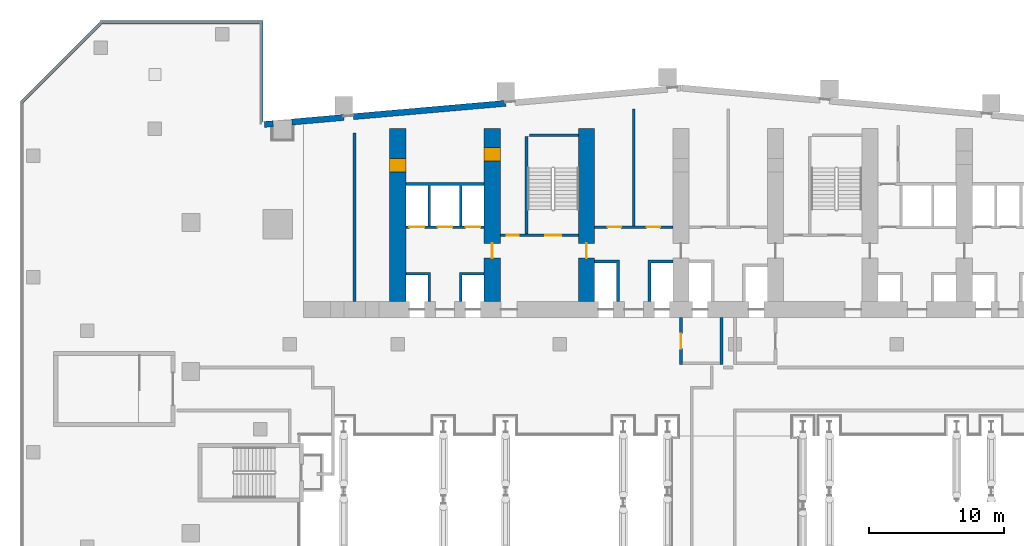
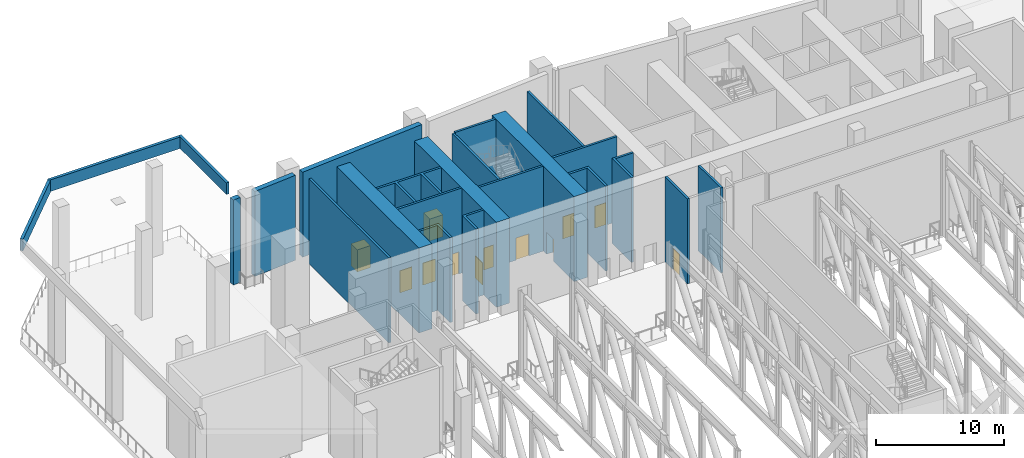
# One storey, part 12 of 33: 23 walls, 12 doors, 12 openings.
"""IFC4 building model written with IfcOpenShell, lengths in metres."""

from ifc_helpers import new_model, si_unit, direction, frame, frame_2d, origin, place, context, subcontext, project, spatial, polyline, rectangle, outline, extrude, material, layer, layer_set, type_object, element, fill, save


model = new_model("IFC4")

# Units and contexts
model_context = context("Model", 3, precision=1e-05, world=origin(), true_north=direction((0.0, 1.0)))
body_context = subcontext(model_context, "Body", "Model", "MODEL_VIEW")
ifc_project = project(units=[si_unit("LENGTHUNIT", "METRE"), si_unit("AREAUNIT", "SQUARE_METRE"), si_unit("VOLUMEUNIT", "CUBIC_METRE"), si_unit("PLANEANGLEUNIT", "RADIAN"), si_unit("MASSUNIT", "GRAM", prefix="KILO")], contexts=[model_context])

# Site, building, storey
site_placement = place(None, origin())
site = spatial("IfcSite", under=ifc_project, at=site_placement, CompositionType="ELEMENT")
building_placement = place(site_placement, origin())
building = spatial("IfcBuilding", under=site, at=building_placement, Name="Wharfspan Tower", CompositionType="ELEMENT")
storey_placement = place(building_placement, frame((0.0, 0.0, 33.0)))
storey = spatial("IfcBuildingStorey", under=building, at=storey_placement, Name="L05", CompositionType="ELEMENT", Elevation=33.0)

# Walls
ifc_material_1 = material(Name="Calcium silicate masonry", Category="masonry")
ifc_layer_1 = layer(ifc_material_1, 0.199951)
ifc_layer_set_1 = layer_set([ifc_layer_1], Name="Calcium silicate masonry")
wall_type_1 = type_object("IfcWallType", Name="Core room wall 200", PredefinedType="PARTITIONING", material=ifc_layer_set_1)
wall_1_placement = place(storey_placement, frame((12.800049, 35.199951, 0.0), z_axis=(0.0, 0.0, 1.0), x_axis=(0.0, 1.0, 0.0)))
element("IfcWall", 1, at=wall_1_placement, inside=storey, type_object=wall_type_1, Name="sw:L05:RM0", PredefinedType="PARTITIONING", context=body_context, shape_type="SweptSolid", body=[
    extrude(rectangle(XDim=12.467773, YDim=0.199951, at=frame_2d((6.233887, 0.0))), origin(), (0.0, 0.0, 1.0), 8.100098),
])
wall_2_placement = place(storey_placement, frame((33.5, 40.800049, 0.0), z_axis=(0.0, 0.0, 1.0), x_axis=(0.0, 1.0, 0.0)))
element("IfcWall", 2, at=wall_2_placement, inside=storey, type_object=wall_type_1, Name="sw:L05:RP3.1", PredefinedType="PARTITIONING", context=body_context, shape_type="SweptSolid", body=[
    extrude(rectangle(XDim=8.652588, YDim=0.199951, at=frame_2d((4.326172, 0.0))), origin(), (0.0, 0.0, 1.0), 8.100098),
])

# Wall, opening, door
ifc_material_2 = material(Name="Concrete C70/85", Category="concrete")
ifc_layer_2 = layer(ifc_material_2, 1.199951)
ifc_layer_set_2 = layer_set([ifc_layer_2], Name="Concrete C70/85")
wall_type_2 = type_object("IfcWallType", Name="Core wall fallback 1.2", PredefinedType="SHEAR", material=ifc_layer_set_2)
wall_3_placement = place(storey_placement, frame((16.0, 35.199951, 0.0), z_axis=(0.0, 0.0, 1.0), x_axis=(0.0, 1.0, 0.0)))
wall_3 = element("IfcWall", 3, at=wall_3_placement, inside=storey, type_object=wall_type_2, Name="cw:L05:X1", PredefinedType="SHEAR", context=body_context, shape_type="SweptSolid", body=[
    extrude(rectangle(XDim=12.800049, YDim=1.199951, at=frame_2d((6.399902, 0.0))), origin(), (0.0, 0.0, 1.0), 8.100098),
])
opening_1_placement = place(wall_3_placement, frame((9.600098, 0.0, 0.0)))
opening_1 = element("IfcOpeningElement", 4, at=opening_1_placement, cuts=wall_3, Name="Opening CR05.1", PredefinedType="OPENING", context=body_context, shape_type="SweptSolid", body=[
    extrude(rectangle(XDim=1.0, YDim=2.100098, at=frame_2d((0.5, 1.050049))), frame((0.0, 0.609863, 0.0), z_axis=(0.0, -1.0, 0.0), x_axis=(1.0, 0.0, 0.0)), (0.0, 0.0, 1.0), 1.219971),
])
ifc_material_3 = material(Name="Steel door leaf", Category="steel")
door_type_1 = type_object("IfcDoorType", Name="Core room door 1000x2100", OperationType="SINGLE_SWING_LEFT", PredefinedType="DOOR", material=ifc_material_3)
door_1_placement = place(opening_1_placement, origin())
door_1 = element("IfcDoor", 5, at=door_1_placement, inside=storey, type_object=door_type_1, Name="xr:L05:1", OperationType="SINGLE_SWING_RIGHT", OverallHeight=2.100098, OverallWidth=1.0, PredefinedType="DOOR", context=body_context, shape_type="SweptSolid", body=[
    extrude(rectangle(XDim=1.0, YDim=2.100098, at=frame_2d((0.5, 1.050049))), frame((0.0, 0.599609, 0.0), z_axis=(0.0, -1.0, 0.0), x_axis=(1.0, 0.0, 0.0)), (0.0, 0.0, 1.0), 1.199463),
])
fill(opening_1, door_1)

# Wall, openings, doors
wall_4_placement = place(storey_placement, frame((23.0, 35.199951, 0.0), z_axis=(0.0, 0.0, 1.0), x_axis=(0.0, 1.0, 0.0)))
wall_4 = element("IfcWall", 6, at=wall_4_placement, inside=storey, type_object=wall_type_2, Name="cw:L05:X2", PredefinedType="SHEAR", context=body_context, shape_type="SweptSolid", body=[
    extrude(rectangle(XDim=12.800049, YDim=1.199951, at=frame_2d((6.399902, 0.0))), origin(), (0.0, 0.0, 1.0), 8.100098),
])
opening_2_placement = place(wall_4_placement, frame((10.413818, 0.0, 0.0)))
opening_2 = element("IfcOpeningElement", 7, at=opening_2_placement, cuts=wall_4, Name="Opening CD05.1X", PredefinedType="OPENING", context=body_context, shape_type="SweptSolid", body=[
    extrude(rectangle(XDim=1.0, YDim=2.100098, at=frame_2d((0.5, 1.050049))), frame((0.0, 0.609863, 0.0), z_axis=(0.0, -1.0, 0.0), x_axis=(1.0, 0.0, 0.0)), (0.0, 0.0, 1.0), 1.219971),
])
opening_3_placement = place(wall_4_placement, frame((3.199951, 0.0, 0.0)))
opening_3 = element("IfcOpeningElement", 8, at=opening_3_placement, cuts=wall_4, Name="Opening CC05.2", PredefinedType="OPENING", context=body_context, shape_type="SweptSolid", body=[
    extrude(rectangle(XDim=1.100098, YDim=2.100098, at=frame_2d((0.550049, 1.050049))), frame((0.0, 0.609863, 0.0), z_axis=(0.0, -1.0, 0.0), x_axis=(1.0, 0.0, 0.0)), (0.0, 0.0, 1.0), 1.219971),
])
door_type_2 = type_object("IfcDoorType", Name="Core corridor door 1100x2100", OperationType="SINGLE_SWING_LEFT", PredefinedType="DOOR", material=ifc_material_3)
door_2_placement = place(opening_3_placement, origin())
door_2 = element("IfcDoor", 9, at=door_2_placement, inside=storey, type_object=door_type_2, Name="xd:L05:2", OperationType="SINGLE_SWING_RIGHT", OverallHeight=2.100098, OverallWidth=1.100098, PredefinedType="DOOR", context=body_context, shape_type="SweptSolid", body=[
    extrude(rectangle(XDim=1.100098, YDim=2.100098, at=frame_2d((0.550049, 1.050049))), frame((0.0, 0.024902, 0.0), z_axis=(0.0, -1.0, 0.0), x_axis=(1.0, 0.0, 0.0)), (0.0, 0.0, 1.0), 0.050049),
])
fill(opening_3, door_2)
door_3_placement = place(opening_2_placement, origin())
door_3 = element("IfcDoor", 10, at=door_3_placement, inside=storey, type_object=door_type_1, Name="d:L05:1:sx", OperationType="SINGLE_SWING_LEFT", OverallHeight=2.100098, OverallWidth=1.0, PredefinedType="DOOR", context=body_context, shape_type="SweptSolid", body=[
    extrude(rectangle(XDim=1.0, YDim=2.100098, at=frame_2d((0.5, 1.050049))), frame((0.0, 0.599609, 0.0), z_axis=(0.0, -1.0, 0.0), x_axis=(1.0, 0.0, 0.0)), (0.0, 0.0, 1.0), 1.199463),
])
fill(opening_2, door_3)

# Wall, opening, door
wall_5_placement = place(storey_placement, frame((30.0, 35.199951, 0.0), z_axis=(0.0, 0.0, 1.0), x_axis=(0.0, 1.0, 0.0)))
wall_5 = element("IfcWall", 11, at=wall_5_placement, inside=storey, type_object=wall_type_2, Name="cw:L05:X3", PredefinedType="SHEAR", context=body_context, shape_type="SweptSolid", body=[
    extrude(rectangle(XDim=12.800049, YDim=1.199951, at=frame_2d((6.399902, 0.0))), origin(), (0.0, 0.0, 1.0), 8.100098),
])
opening_4_placement = place(wall_5_placement, frame((3.199951, 0.0, 0.0)))
opening_4 = element("IfcOpeningElement", 12, at=opening_4_placement, cuts=wall_5, Name="Opening CC05.3", PredefinedType="OPENING", context=body_context, shape_type="SweptSolid", body=[
    extrude(rectangle(XDim=1.100098, YDim=2.100098, at=frame_2d((0.550049, 1.050049))), frame((0.0, 0.609863, 0.0), z_axis=(0.0, -1.0, 0.0), x_axis=(1.0, 0.0, 0.0)), (0.0, 0.0, 1.0), 1.219971),
])
door_4_placement = place(opening_4_placement, origin())
door_4 = element("IfcDoor", 13, at=door_4_placement, inside=storey, type_object=door_type_2, Name="xd:L05:3", OperationType="SINGLE_SWING_LEFT", OverallHeight=2.100098, OverallWidth=1.100098, PredefinedType="DOOR", context=body_context, shape_type="SweptSolid", body=[
    extrude(rectangle(XDim=1.100098, YDim=2.100098, at=frame_2d((0.550049, 1.050049))), frame((0.0, 0.024902, 0.0), z_axis=(0.0, -1.0, 0.0), x_axis=(1.0, 0.0, 0.0)), (0.0, 0.0, 1.0), 0.050049),
])
fill(opening_4, door_4)

# Wall, openings, doors
ifc_material_4 = material(Name="Concrete C30/37", Category="concrete")
ifc_layer_3 = layer(ifc_material_4, 0.199951)
ifc_layer_set_3 = layer_set([ifc_layer_3], Name="Concrete C30/37")
wall_type_3 = type_object("IfcWallType", Name="Lift shaft wall 200", PredefinedType="PARTITIONING", material=ifc_layer_set_3)
wall_6_placement = place(storey_placement, frame((16.600098, 40.699951, 0.0), z_axis=(0.0, 0.0, 1.0), x_axis=(1.0, 0.0, 0.0)))
wall_6 = element("IfcWall", 14, at=wall_6_placement, inside=storey, type_object=wall_type_3, Name="sw:L05:RF1", PredefinedType="PARTITIONING", context=body_context, shape_type="SweptSolid", body=[
    extrude(rectangle(XDim=5.799805, YDim=0.199951, at=frame_2d((2.899902, 0.0))), origin(), (0.0, 0.0, 1.0), 8.100098),
])
opening_5_placement = place(wall_6_placement, frame((0.266602, 0.0, 0.0)))
opening_5 = element("IfcOpeningElement", 15, at=opening_5_placement, cuts=wall_6, Name="Opening LD.LA3.L05", PredefinedType="OPENING", context=body_context, shape_type="SweptSolid", body=[
    extrude(rectangle(XDim=1.100098, YDim=2.100098, at=frame_2d((0.550049, 1.050049))), frame((0.0, 0.109863, 0.0), z_axis=(0.0, -1.0, 0.0), x_axis=(1.0, 0.0, 0.0)), (0.0, 0.0, 1.0), 0.219971),
])
opening_6_placement = place(wall_6_placement, frame((2.350098, 0.0, 0.0)))
opening_6 = element("IfcOpeningElement", 16, at=opening_6_placement, cuts=wall_6, Name="Opening LD.LA4.L05", PredefinedType="OPENING", context=body_context, shape_type="SweptSolid", body=[
    extrude(rectangle(XDim=1.100098, YDim=2.100098, at=frame_2d((0.550049, 1.050049))), frame((0.0, 0.109863, 0.0), z_axis=(0.0, -1.0, 0.0), x_axis=(1.0, 0.0, 0.0)), (0.0, 0.0, 1.0), 0.219971),
])
opening_7_placement = place(wall_6_placement, frame((4.43335, 0.0, 0.0)))
opening_7 = element("IfcOpeningElement", 17, at=opening_7_placement, cuts=wall_6, Name="Opening LD.LA5.L05", PredefinedType="OPENING", context=body_context, shape_type="SweptSolid", body=[
    extrude(rectangle(XDim=1.100098, YDim=2.100098, at=frame_2d((0.550049, 1.050049))), frame((0.0, 0.109863, 0.0), z_axis=(0.0, -1.0, 0.0), x_axis=(1.0, 0.0, 0.0)), (0.0, 0.0, 1.0), 0.219971),
])
ifc_material_5 = material(Name="Stainless steel", Category="steel")
door_type_3 = type_object("IfcDoorType", Name="Lift landing door 1100x2100", OperationType="DOUBLE_DOOR_SLIDING", PredefinedType="DOOR", material=ifc_material_5)
door_5_placement = place(opening_5_placement, origin())
door_5 = element("IfcDoor", 18, at=door_5_placement, inside=storey, type_object=door_type_3, Name="Landing door LA3 L05", OperationType="DOUBLE_DOOR_SLIDING", OverallHeight=2.100098, OverallWidth=1.100098, PredefinedType="DOOR", context=body_context, shape_type="SweptSolid", body=[
    extrude(rectangle(XDim=1.100098, YDim=2.100098, at=frame_2d((0.550049, 1.050049))), frame((0.0, 0.024902, 0.0), z_axis=(0.0, -1.0, 0.0), x_axis=(1.0, 0.0, 0.0)), (0.0, 0.0, 1.0), 0.050049),
])
fill(opening_5, door_5)
door_6_placement = place(opening_6_placement, origin())
door_6 = element("IfcDoor", 19, at=door_6_placement, inside=storey, type_object=door_type_3, Name="Landing door LA4 L05", OperationType="DOUBLE_DOOR_SLIDING", OverallHeight=2.100098, OverallWidth=1.100098, PredefinedType="DOOR", context=body_context, shape_type="SweptSolid", body=[
    extrude(rectangle(XDim=1.100098, YDim=2.100098, at=frame_2d((0.550049, 1.050049))), frame((0.0, 0.024902, 0.0), z_axis=(0.0, -1.0, 0.0), x_axis=(1.0, 0.0, 0.0)), (0.0, 0.0, 1.0), 0.050049),
])
fill(opening_6, door_6)
door_7_placement = place(opening_7_placement, origin())
door_7 = element("IfcDoor", 20, at=door_7_placement, inside=storey, type_object=door_type_3, Name="Landing door LA5 L05", OperationType="DOUBLE_DOOR_SLIDING", OverallHeight=2.100098, OverallWidth=1.100098, PredefinedType="DOOR", context=body_context, shape_type="SweptSolid", body=[
    extrude(rectangle(XDim=1.100098, YDim=2.100098, at=frame_2d((0.550049, 1.050049))), frame((0.0, 0.024902, 0.0), z_axis=(0.0, -1.0, 0.0), x_axis=(1.0, 0.0, 0.0)), (0.0, 0.0, 1.0), 0.050049),
])
fill(opening_7, door_7)

# Walls
wall_7_placement = place(storey_placement, origin())
element("IfcWall", 21, at=wall_7_placement, inside=storey, type_object=wall_type_3, Name="sw:L05:FM1.0", PredefinedType="PARTITIONING", context=body_context, shape_type="SweptSolid", body=[
    extrude(outline(polyline([(18.233398, 37.149902), (16.600098, 37.149902), (16.600098, 37.350098), (18.233398, 37.350098), (18.43335, 37.350098), (18.43335, 35.199951), (18.233398, 35.199951), (18.233398, 37.149902)])), origin(), (0.0, 0.0, 1.0), 8.100098),
])
wall_8_placement = place(storey_placement, origin())
element("IfcWall", 22, at=wall_8_placement, inside=storey, type_object=wall_type_3, Name="sw:L05:FM1.1", PredefinedType="PARTITIONING", context=body_context, shape_type="SweptSolid", body=[
    extrude(outline(polyline([(20.56665, 37.350098), (20.766602, 37.350098), (22.399902, 37.350098), (22.399902, 37.149902), (20.766602, 37.149902), (20.766602, 35.199951), (20.56665, 35.199951), (20.56665, 37.350098)])), origin(), (0.0, 0.0, 1.0), 8.100098),
])
wall_9_placement = place(storey_placement, origin())
element("IfcWall", 23, at=wall_9_placement, inside=storey, type_object=wall_type_3, Name="sw:L05:RM1.0", PredefinedType="PARTITIONING", context=body_context, shape_type="SweptSolid", body=[
    extrude(outline(polyline([(18.43335, 40.800049), (18.233398, 40.800049), (18.233398, 43.800049), (16.600098, 43.800049), (16.600098, 44.0), (22.399902, 44.0), (22.399902, 43.800049), (20.766602, 43.800049), (20.766602, 40.800049), (20.56665, 40.800049), (20.56665, 43.800049), (18.43335, 43.800049), (18.43335, 40.800049)])), origin(), (0.0, 0.0, 1.0), 8.100098),
])

# Wall, openings, doors
wall_10_placement = place(storey_placement, frame((30.600098, 40.699951, 0.0), z_axis=(0.0, 0.0, 1.0), x_axis=(1.0, 0.0, 0.0)))
wall_10 = element("IfcWall", 24, at=wall_10_placement, inside=storey, type_object=wall_type_3, Name="sw:L05:RF3", PredefinedType="PARTITIONING", context=body_context, shape_type="SweptSolid", body=[
    extrude(rectangle(XDim=5.799805, YDim=0.199951, at=frame_2d((2.899902, 0.0))), origin(), (0.0, 0.0, 1.0), 8.100098),
])
opening_8_placement = place(wall_10_placement, frame((0.949951, 0.0, 0.0)))
opening_8 = element("IfcOpeningElement", 25, at=opening_8_placement, cuts=wall_10, Name="Opening CD05.3S", PredefinedType="OPENING", context=body_context, shape_type="SweptSolid", body=[
    extrude(rectangle(XDim=1.0, YDim=2.100098, at=frame_2d((0.5, 1.050049))), frame((0.0, 0.109863, 0.0), z_axis=(0.0, -1.0, 0.0), x_axis=(1.0, 0.0, 0.0)), (0.0, 0.0, 1.0), 0.219971),
])
opening_9_placement = place(wall_10_placement, frame((3.850098, 0.0, 0.0)))
opening_9 = element("IfcOpeningElement", 26, at=opening_9_placement, cuts=wall_10, Name="Opening CD05.3Sa", PredefinedType="OPENING", context=body_context, shape_type="SweptSolid", body=[
    extrude(rectangle(XDim=1.0, YDim=2.100098, at=frame_2d((0.5, 1.050049))), frame((0.0, 0.109863, 0.0), z_axis=(0.0, -1.0, 0.0), x_axis=(1.0, 0.0, 0.0)), (0.0, 0.0, 1.0), 0.219971),
])
door_8_placement = place(opening_8_placement, origin())
door_8 = element("IfcDoor", 27, at=door_8_placement, inside=storey, type_object=door_type_1, Name="d:L05:3:sf", OperationType="SINGLE_SWING_LEFT", OverallHeight=2.100098, OverallWidth=1.0, PredefinedType="DOOR", context=body_context, shape_type="SweptSolid", body=[
    extrude(rectangle(XDim=1.0, YDim=2.100098, at=frame_2d((0.5, 1.050049))), frame((0.0, 0.024902, 0.0), z_axis=(0.0, -1.0, 0.0), x_axis=(1.0, 0.0, 0.0)), (0.0, 0.0, 1.0), 0.050049),
])
fill(opening_8, door_8)
door_9_placement = place(opening_9_placement, origin())
door_9 = element("IfcDoor", 28, at=door_9_placement, inside=storey, type_object=door_type_1, Name="d:L05:3:sf1", OperationType="SINGLE_SWING_LEFT", OverallHeight=2.100098, OverallWidth=1.0, PredefinedType="DOOR", context=body_context, shape_type="SweptSolid", body=[
    extrude(rectangle(XDim=1.0, YDim=2.100098, at=frame_2d((0.5, 1.050049))), frame((0.0, 0.024902, 0.0), z_axis=(0.0, -1.0, 0.0), x_axis=(1.0, 0.0, 0.0)), (0.0, 0.0, 1.0), 0.050049),
])
fill(opening_9, door_9)

# Walls
wall_11_placement = place(storey_placement, origin())
element("IfcWall", 29, at=wall_11_placement, inside=storey, type_object=wall_type_3, Name="sw:L05:FM3.0", PredefinedType="PARTITIONING", context=body_context, shape_type="SweptSolid", body=[
    extrude(outline(polyline([(32.233398, 38.050049), (30.600098, 38.050049), (30.600098, 38.25), (32.233398, 38.25), (32.43335, 38.25), (32.43335, 35.199951), (32.233398, 35.199951), (32.233398, 38.050049)])), origin(), (0.0, 0.0, 1.0), 8.100098),
])
wall_12_placement = place(storey_placement, origin())
element("IfcWall", 30, at=wall_12_placement, inside=storey, type_object=wall_type_3, Name="sw:L05:FM3.1", PredefinedType="PARTITIONING", context=body_context, shape_type="SweptSolid", body=[
    extrude(outline(polyline([(34.56665, 38.25), (34.766602, 38.25), (36.399902, 38.25), (36.399902, 38.050049), (34.766602, 38.050049), (34.766602, 35.199951), (34.56665, 35.199951), (34.56665, 38.25)])), origin(), (0.0, 0.0, 1.0), 8.100098),
])

# Wall, opening, door
ifc_layer_4 = layer(ifc_material_4, 0.199951)
ifc_layer_set_4 = layer_set([ifc_layer_4], Name="Concrete C30/37")
wall_type_4 = type_object("IfcWallType", Name="Lobby wall 200", PredefinedType="PARTITIONING", material=ifc_layer_set_4)
wall_13_placement = place(storey_placement, frame((37.0, 30.5, 0.0), z_axis=(0.0, 0.0, 1.0), x_axis=(0.0, 1.0, 0.0)))
wall_13 = element("IfcWall", 31, at=wall_13_placement, inside=storey, type_object=wall_type_4, Name="sw:L05:FLFF1W", PredefinedType="PARTITIONING", context=body_context, shape_type="SweptSolid", body=[
    extrude(rectangle(XDim=3.5, YDim=0.199951, at=frame_2d((1.75, 0.0))), origin(), (0.0, 0.0, 1.0), 8.100098),
])
opening_10_placement = place(wall_13_placement, frame((1.199951, 0.0, 0.0)))
opening_10 = element("IfcOpeningElement", 32, at=opening_10_placement, cuts=wall_13, Name="Opening FL.FF1.L05", PredefinedType="OPENING", context=body_context, shape_type="SweptSolid", body=[
    extrude(rectangle(XDim=1.100098, YDim=2.100098, at=frame_2d((0.550049, 1.050049))), frame((0.0, 0.109863, 0.0), z_axis=(0.0, -1.0, 0.0), x_axis=(1.0, 0.0, 0.0)), (0.0, 0.0, 1.0), 0.219971),
])
door_type_4 = type_object("IfcDoorType", Name="Firefighting lobby door 1100x2100", OperationType="SINGLE_SWING_LEFT", PredefinedType="DOOR", material=ifc_material_3)
door_10_placement = place(opening_10_placement, origin())
door_10 = element("IfcDoor", 33, at=door_10_placement, inside=storey, type_object=door_type_4, Name="fd:L05:FF1", OperationType="SINGLE_SWING_LEFT", OverallHeight=2.100098, OverallWidth=1.100098, PredefinedType="DOOR", context=body_context, shape_type="SweptSolid", body=[
    extrude(rectangle(XDim=1.100098, YDim=2.100098, at=frame_2d((0.550049, 1.050049))), frame((0.0, 0.024902, 0.0), z_axis=(0.0, -1.0, 0.0), x_axis=(1.0, 0.0, 0.0)), (0.0, 0.0, 1.0), 0.050049),
])
fill(opening_10, door_10)

# Walls
wall_14_placement = place(storey_placement, frame((40.0, 30.5, 0.0), z_axis=(0.0, 0.0, 1.0), x_axis=(0.0, 1.0, 0.0)))
element("IfcWall", 34, at=wall_14_placement, inside=storey, type_object=wall_type_4, Name="sw:L05:FLFF1E", PredefinedType="PARTITIONING", context=body_context, shape_type="SweptSolid", body=[
    extrude(rectangle(XDim=3.5, YDim=0.199951, at=frame_2d((1.75, 0.0))), origin(), (0.0, 0.0, 1.0), 8.100098),
])
ifc_material_6 = material(Name="Concrete C40/50", Category="concrete")
ifc_layer_5 = layer(ifc_material_6, 0.25)
ifc_layer_set_5 = layer_set([ifc_layer_5], Name="Concrete C40/50")
wall_type_5 = type_object("IfcWallType", Name="PARAPET CONCRETE 250", PredefinedType="PARAPET", material=ifc_layer_set_5)
wall_15_placement = place(storey_placement, frame((5.75, 55.875, 8.5), z_axis=(0.0, 0.0, 1.0), x_axis=(-1.0, 0.0, 0.0)))
element("IfcWall", 35, at=wall_15_placement, inside=storey, type_object=wall_type_5, Name="Ledge parapet", PredefinedType="PARAPET", context=body_context, shape_type="SweptSolid", body=[
    extrude(rectangle(XDim=11.823242, YDim=0.25, at=frame_2d((5.911621, 0.0))), origin(), (0.0, 0.0, 1.0), 1.100098),
])
wall_16_placement = place(storey_placement, frame((-6.036621, 55.786621, 8.5), z_axis=(0.0, 0.0, 1.0), x_axis=(-0.707107, -0.707107, 0.0)))
element("IfcWall", 36, at=wall_16_placement, inside=storey, type_object=wall_type_5, Name="Ledge parapet", PredefinedType="PARAPET", context=body_context, shape_type="SweptSolid", body=[
    extrude(rectangle(XDim=8.308594, YDim=0.25, at=frame_2d((4.154297, 0.0))), origin(), (0.0, 0.0, 1.0), 1.100098),
])
wall_17_placement = place(storey_placement, frame((5.875, 48.524902, 8.5), z_axis=(0.0, 0.0, 1.0), x_axis=(0.0, 1.0, 0.0)))
element("IfcWall", 37, at=wall_17_placement, inside=storey, type_object=wall_type_5, Name="Ledge parapet", PredefinedType="PARAPET", context=body_context, shape_type="SweptSolid", body=[
    extrude(rectangle(XDim=7.475098, YDim=0.25, at=frame_2d((3.737549, 0.0))), origin(), (0.0, 0.0, 1.0), 1.100098),
])

# Wall, openings, doors
ifc_layer_6 = layer(ifc_material_6, 0.199951)
ifc_layer_set_6 = layer_set([ifc_layer_6], Name="Concrete C40/50")
wall_type_6 = type_object("IfcWallType", Name="Stair shaft wall 200", PredefinedType="SHEAR", material=ifc_layer_set_6)
wall_18_placement = place(storey_placement, frame((23.600098, 40.100098, 0.0), z_axis=(0.0, 0.0, 1.0), x_axis=(1.0, 0.0, 0.0)))
wall_18 = element("IfcWall", 38, at=wall_18_placement, inside=storey, type_object=wall_type_6, Name="ST1 stair enclosure wall L05", PredefinedType="SHEAR", context=body_context, shape_type="SweptSolid", body=[
    extrude(rectangle(XDim=5.799805, YDim=0.199951, at=frame_2d((2.899902, 0.0))), origin(), (0.0, 0.0, 1.0), 8.100098),
])
opening_11_placement = place(wall_18_placement, frame((3.324951, 0.0, 0.0)))
opening_11 = element("IfcOpeningElement", 39, at=opening_11_placement, cuts=wall_18, Name="Opening SD2.L05", PredefinedType="OPENING", context=body_context, shape_type="SweptSolid", body=[
    extrude(rectangle(XDim=1.199951, YDim=2.100098, at=frame_2d((0.600098, 1.050049))), frame((0.0, 0.109863, 0.0), z_axis=(0.0, -1.0, 0.0), x_axis=(1.0, 0.0, 0.0)), (0.0, 0.0, 1.0), 0.219971),
])
opening_12_placement = place(wall_18_placement, frame((0.475098, 0.0, 0.0)))
opening_12 = element("IfcOpeningElement", 40, at=opening_12_placement, cuts=wall_18, Name="Opening CD05.2R", PredefinedType="OPENING", context=body_context, shape_type="SweptSolid", body=[
    extrude(rectangle(XDim=0.899902, YDim=2.100098, at=frame_2d((0.449951, 1.050049))), frame((0.0, 0.109863, 0.0), z_axis=(0.0, -1.0, 0.0), x_axis=(1.0, 0.0, 0.0)), (0.0, 0.0, 1.0), 0.219971),
])
door_11_placement = place(opening_12_placement, origin())
door_11 = element("IfcDoor", 41, at=door_11_placement, inside=storey, type_object=door_type_1, Name="rk:L05:2", OperationType="SINGLE_SWING_LEFT", OverallHeight=2.100098, OverallWidth=0.899902, PredefinedType="DOOR", context=body_context, shape_type="SweptSolid", body=[
    extrude(rectangle(XDim=0.899902, YDim=2.100098, at=frame_2d((0.449951, 1.050049))), frame((0.0, 0.024902, 0.0), z_axis=(0.0, -1.0, 0.0), x_axis=(1.0, 0.0, 0.0)), (0.0, 0.0, 1.0), 0.050049),
])
fill(opening_12, door_11)
door_type_5 = type_object("IfcDoorType", Name="Stair door 1200x2100", OperationType="SINGLE_SWING_LEFT", PredefinedType="DOOR", material=ifc_material_3)
door_12_placement = place(opening_11_placement, origin())
door_12 = element("IfcDoor", 42, at=door_12_placement, inside=storey, type_object=door_type_5, Name="sd:L05:2", OperationType="SINGLE_SWING_RIGHT", OverallHeight=2.100098, OverallWidth=1.199951, PredefinedType="DOOR", context=body_context, shape_type="SweptSolid", body=[
    extrude(rectangle(XDim=1.199951, YDim=2.100098, at=frame_2d((0.600098, 1.050049))), frame((0.0, 0.024902, 0.0), z_axis=(0.0, -1.0, 0.0), x_axis=(1.0, 0.0, 0.0)), (0.0, 0.0, 1.0), 0.050049),
])
fill(opening_11, door_12)

# Walls
wall_19_placement = place(storey_placement, frame((25.550049, 40.199951, 0.0), z_axis=(0.0, 0.0, 1.0), x_axis=(0.0, 1.0, 0.0)))
element("IfcWall", 43, at=wall_19_placement, inside=storey, type_object=wall_type_6, Name="ST1 stair enclosure wall L05", PredefinedType="SHEAR", context=body_context, shape_type="SweptSolid", body=[
    extrude(rectangle(XDim=7.199951, YDim=0.199951, at=frame_2d((3.600098, 0.0))), origin(), (0.0, 0.0, 1.0), 8.100098),
])
wall_20_placement = place(storey_placement, frame((25.75, 47.5, 0.0), z_axis=(0.0, 0.0, 1.0), x_axis=(1.0, 0.0, 0.0)))
element("IfcWall", 44, at=wall_20_placement, inside=storey, type_object=wall_type_6, Name="ST1 stair enclosure wall L05", PredefinedType="SHEAR", context=body_context, shape_type="SweptSolid", body=[
    extrude(rectangle(XDim=3.649902, YDim=0.199951, at=frame_2d((1.824951, 0.0))), origin(), (0.0, 0.0, 1.0), 8.100098),
])
ifc_layer_7 = layer(ifc_material_6, 0.449951)
ifc_layer_set_7 = layer_set([ifc_layer_7], Name="Concrete C40/50")
wall_type_7 = type_object("IfcWallType", Name="WALL BOARD-MARKED CONCRETE 450", PredefinedType="SOLIDWALL", material=ifc_layer_set_7)
wall_21_placement = place(storey_placement, frame((23.999756, 49.873779, 0.0), z_axis=(0.0, 0.0, 1.0), x_axis=(-0.996195, -0.087145, 0.0)))
element("IfcWall", 45, at=wall_21_placement, inside=storey, type_object=wall_type_7, Name="Podium wall PF8", PredefinedType="SOLIDWALL", context=body_context, shape_type="SweptSolid", body=[
    extrude(rectangle(XDim=11.343506, YDim=0.449951, at=frame_2d((5.671875, 0.0))), origin(), (0.0, 0.0, 1.0), 8.100098),
])
wall_22_placement = place(storey_placement, frame((11.999756, 48.823975, 0.0), z_axis=(0.0, 0.0, 1.0), x_axis=(-0.9962, -0.087124, 0.0)))
element("IfcWall", 46, at=wall_22_placement, inside=storey, type_object=wall_type_7, Name="Podium wall PF8", PredefinedType="SOLIDWALL", context=body_context, shape_type="SweptSolid", body=[
    extrude(rectangle(XDim=3.858643, YDim=0.449951, at=frame_2d((1.929199, 0.0))), origin(), (0.0, 0.0, 1.0), 8.100098),
])
wall_23_placement = place(storey_placement, frame((6.766846, 48.366211, 0.0), z_axis=(0.0, 0.0, 1.0), x_axis=(-0.996201, -0.087116, 0.0)))
element("IfcWall", 47, at=wall_23_placement, inside=storey, type_object=wall_type_7, Name="Podium wall PF8", PredefinedType="SOLIDWALL", context=body_context, shape_type="SweptSolid", body=[
    extrude(rectangle(XDim=0.650146, YDim=0.449951, at=frame_2d((0.325195, 0.0))), origin(), (0.0, 0.0, 1.0), 8.100098),
])

save(model, "model.ifc")
